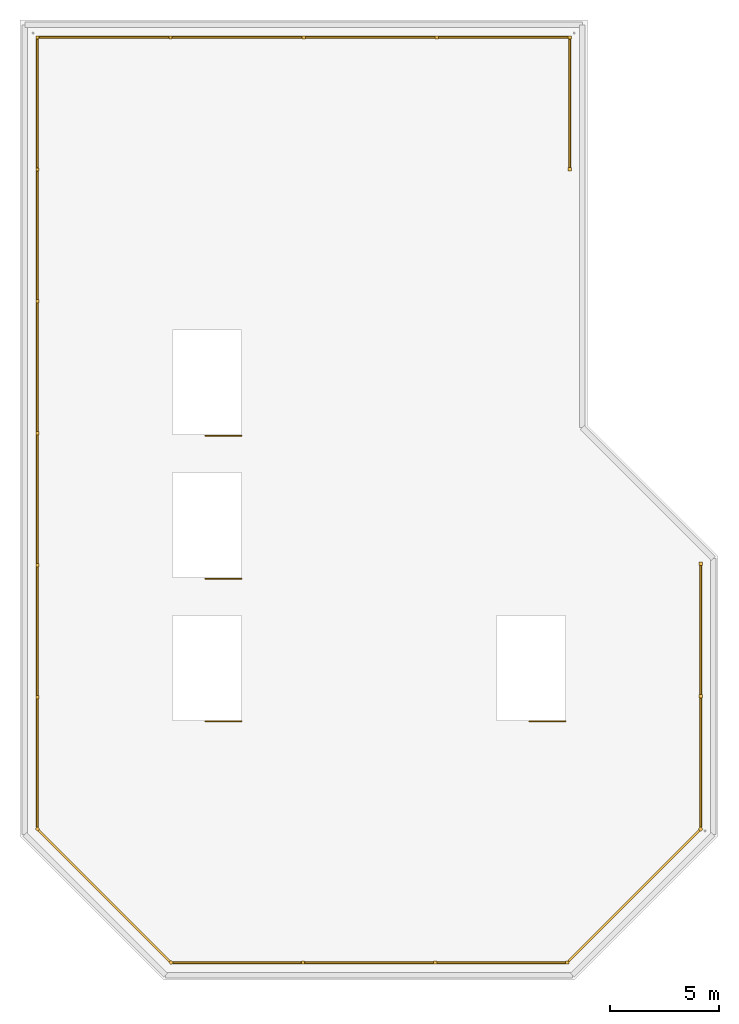
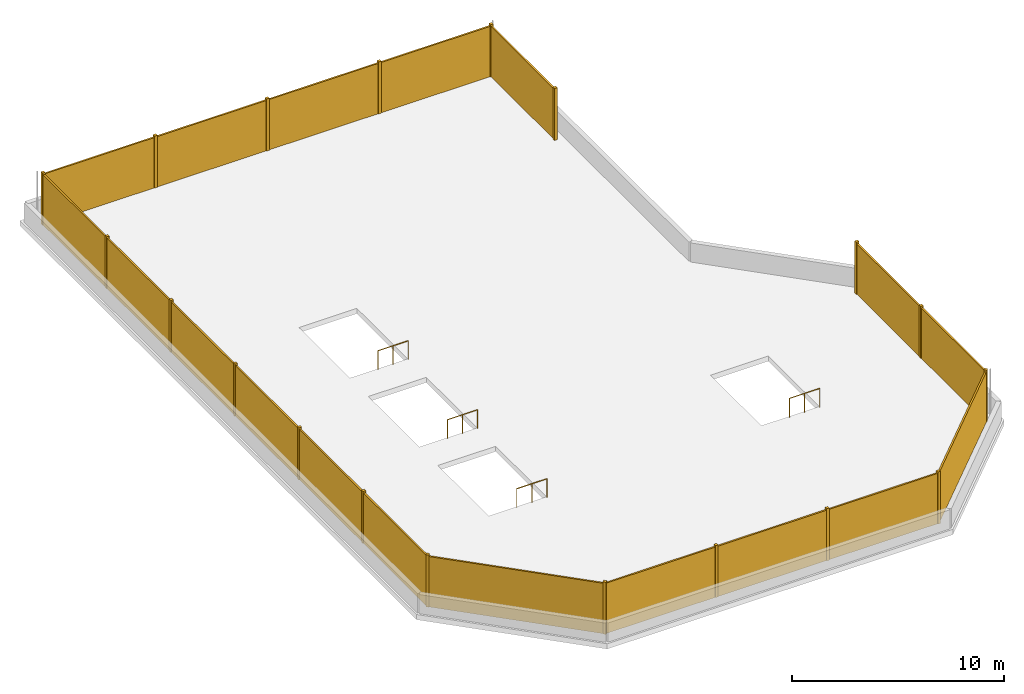
# One storey, part 5 of 5: 37 coverings, 4 railings.
"""IFC4 building model written with IfcOpenShell, lengths in metres."""

from ifc_helpers import new_model, si_unit, direction, frame, origin, origin_2d, place, context, subcontext, project, spatial, rectangle, circle, extrude, material, layer, layer_set, type_object, element, save


model = new_model("IFC4")

# Units and contexts
model_context = context("Model", 3, precision=1e-05, world=origin(), true_north=direction((0.0, 1.0)))
body_context = subcontext(model_context, "Body", "Model", "MODEL_VIEW")
ifc_project = project(units=[si_unit("LENGTHUNIT", "METRE"), si_unit("AREAUNIT", "SQUARE_METRE"), si_unit("VOLUMEUNIT", "CUBIC_METRE"), si_unit("PLANEANGLEUNIT", "RADIAN"), si_unit("MASSUNIT", "GRAM", prefix="KILO")], contexts=[model_context])

# Site, building, storey
site_placement = place(None, origin())
site = spatial("IfcSite", under=ifc_project, at=site_placement, CompositionType="ELEMENT")
building_placement = place(site_placement, origin())
building = spatial("IfcBuilding", under=site, at=building_placement, Name="Welwitschia Terrace Campus", CompositionType="ELEMENT")
storey_placement = place(building_placement, frame((0.0, 0.0, 344.0)))
storey = spatial("IfcBuildingStorey", under=building, at=storey_placement, Name="MAIN ROOF", CompositionType="ELEMENT", Elevation=344.0)

# Coverings
ifc_material_1 = material(Name="Bronze mesh aluminium screen", Category="aluminium")
ifc_layer = layer(ifc_material_1, 0.090087890625)
ifc_layer_set = layer_set([ifc_layer], Name="Bronze mesh aluminium screen")
covering_type_1 = type_object("IfcCoveringType", Name="Bronze screen 90 plant", PredefinedType="USERDEFINED", material=ifc_layer_set)
covering_1_placement = place(storey_placement, frame((2.858642578125, -1.141357421875, 0.0), z_axis=(0.0, 0.0, 1.0), x_axis=(0.707106781187, -0.707106781187, 0.0)))
element("IfcCovering", 1, at=covering_1_placement, inside=storey, type_object=covering_type_1, Name="Plant screen", ObjectType="SCREEN", PredefinedType="USERDEFINED", context=body_context, shape_type="SweptSolid", body=[
    extrude(rectangle(XDim=8.5009765625, YDim=0.090087890625, at=origin_2d()), origin(), (0.0, 0.0, 1.0), 2.89990234375),
])
for number, where, z_axis, x_axis, name in (
    (2, (8.94482421875, -4.199951171875, 0.0), (0.0, 0.0, 1.0), (1.0, 0.0, 0.0), "Plant screen"),
    (3, (15.0, -4.199951171875, 0.0), (0.0, 0.0, 1.0), (1.0, 0.0, 0.0), "Plant screen"),
    (4, (21.05517578125, -4.199951171875, 0.0), (0.0, 0.0, 1.0), (1.0, 0.0, 0.0), "Plant screen"),
):
    element("IfcCovering", number, at=place(storey_placement, frame(where, z_axis=z_axis, x_axis=x_axis)), inside=storey, type_object=covering_type_1, Name=name, ObjectType="SCREEN", PredefinedType="USERDEFINED", context=body_context, shape_type="SweptSolid", body=[
        extrude(rectangle(XDim=5.9052734375, YDim=0.090087890625, at=origin_2d()), origin(), (0.0, 0.0, 1.0), 2.89990234375),
    ])
covering_2_placement = place(storey_placement, frame((27.141357421875, -1.141357421875, 0.0), z_axis=(0.0, 0.0, 1.0), x_axis=(0.707106781187, 0.707106781187, 0.0)))
element("IfcCovering", 5, at=covering_2_placement, inside=storey, type_object=covering_type_1, Name="Plant screen", ObjectType="SCREEN", PredefinedType="USERDEFINED", context=body_context, shape_type="SweptSolid", body=[
    extrude(rectangle(XDim=8.5009765625, YDim=0.090087890625, at=origin_2d()), origin(), (0.0, 0.0, 1.0), 2.89990234375),
])
for number, where, z_axis, x_axis, name in (
    (6, (30.199951171875, 4.95849609375, 0.0), (0.0, 0.0, 1.0), (0.0, 1.0, 0.0), "Plant screen"),
    (7, (30.199951171875, 11.04150390625, 0.0), (0.0, 0.0, 1.0), (0.0, 1.0, 0.0), "Plant screen"),
):
    element("IfcCovering", number, at=place(storey_placement, frame(where, z_axis=z_axis, x_axis=x_axis)), inside=storey, type_object=covering_type_1, Name=name, ObjectType="SCREEN", PredefinedType="USERDEFINED", context=body_context, shape_type="SweptSolid", body=[
        extrude(rectangle(XDim=5.932861328125, YDim=0.090087890625, at=origin_2d()), origin(), (0.0, 0.0, 1.0), 2.89990234375),
    ])
covering_3_placement = place(storey_placement, frame((24.199951171875, 35.180419921875, 0.0), z_axis=(0.0, 0.0, 1.0), x_axis=(0.0, 1.0, 0.0)))
element("IfcCovering", 8, at=covering_3_placement, inside=storey, type_object=covering_type_1, Name="Plant screen", ObjectType="SCREEN", PredefinedType="USERDEFINED", context=body_context, shape_type="SweptSolid", body=[
    extrude(rectangle(XDim=5.88916015625, YDim=0.090087890625, at=origin_2d()), origin(), (0.0, 0.0, 1.0), 2.89990234375),
])
for number, where, z_axis, x_axis, name in (
    (9, (21.14990234375, 38.199951171875, 0.0), (0.0, 0.0, 1.0), (-1.0, 0.0, 0.0), "Plant screen"),
    (10, (15.050048828125, 38.199951171875, 0.0), (0.0, 0.0, 1.0), (-1.0, 0.0, 0.0), "Plant screen"),
    (11, (8.949951171875, 38.199951171875, 0.0), (0.0, 0.0, 1.0), (-1.0, 0.0, 0.0), "Plant screen"),
    (12, (2.85009765625, 38.199951171875, 0.0), (0.0, 0.0, 1.0), (-1.0, 0.0, 0.0), "Plant screen"),
):
    element("IfcCovering", number, at=place(storey_placement, frame(where, z_axis=z_axis, x_axis=x_axis)), inside=storey, type_object=covering_type_1, Name=name, ObjectType="SCREEN", PredefinedType="USERDEFINED", context=body_context, shape_type="SweptSolid", body=[
        extrude(rectangle(XDim=5.949951171875, YDim=0.090087890625, at=origin_2d()), origin(), (0.0, 0.0, 1.0), 2.89990234375),
    ])
for number, where, z_axis, x_axis, name in (
    (13, (-0.199951171875, 35.176513671875, 0.0), (0.0, 0.0, 1.0), (0.0, -1.0, 0.0), "Plant screen"),
    (14, (-0.199951171875, 29.12939453125, 0.0), (0.0, 0.0, 1.0), (0.0, -1.0, 0.0), "Plant screen"),
    (15, (-0.199951171875, 23.08203125, 0.0), (0.0, 0.0, 1.0), (0.0, -1.0, 0.0), "Plant screen"),
    (16, (-0.199951171875, 17.034912109375, 0.0), (0.0, 0.0, 1.0), (0.0, -1.0, 0.0), "Plant screen"),
    (17, (-0.199951171875, 10.98779296875, 0.0), (0.0, 0.0, 1.0), (0.0, -1.0, 0.0), "Plant screen"),
    (18, (-0.199951171875, 4.940673828125, 0.0), (0.0, 0.0, 1.0), (0.0, -1.0, 0.0), "Plant screen"),
):
    element("IfcCovering", number, at=place(storey_placement, frame(where, z_axis=z_axis, x_axis=x_axis)), inside=storey, type_object=covering_type_1, Name=name, ObjectType="SCREEN", PredefinedType="USERDEFINED", context=body_context, shape_type="SweptSolid", body=[
        extrude(rectangle(XDim=5.897216796875, YDim=0.090087890625, at=origin_2d()), origin(), (0.0, 0.0, 1.0), 2.89990234375),
    ])
ifc_material_2 = material(Name="Bronze anodised aluminium", Category="aluminium")
covering_type_2 = type_object("IfcCoveringType", Name="Screen post 150", PredefinedType="USERDEFINED", material=ifc_material_2)
for number, where, z_axis, x_axis, name in (
    (19, (-0.199951171875, 1.917236328125, 0.0), (0.0, 0.0, 1.0), (0.707106781187, -0.707106781187, 0.0), "Screen post"),
    (20, (5.917236328125, -4.199951171875, 0.0), (0.0, 0.0, 1.0), (0.707106781187, -0.707106781187, 0.0), "Screen post"),
    (21, (11.972412109375, -4.199951171875, 0.0), (0.0, 0.0, 1.0), (1.0, 0.0, 0.0), "Screen post"),
    (22, (18.027587890625, -4.199951171875, 0.0), (0.0, 0.0, 1.0), (1.0, 0.0, 0.0), "Screen post"),
    (23, (24.082763671875, -4.199951171875, 0.0), (0.0, 0.0, 1.0), (1.0, 0.0, 0.0), "Screen post"),
    (24, (30.199951171875, 1.917236328125, 0.0), (0.0, 0.0, 1.0), (0.707106781187, 0.707106781187, 0.0), "Screen post"),
    (25, (30.199951171875, 8.0, 0.0), (0.0, 0.0, 1.0), (0.0, 1.0, 0.0), "Screen post"),
    (26, (30.199951171875, 14.082763671875, 0.0), (0.0, 0.0, 1.0), (0.0, 1.0, 0.0), "Screen post"),
    (27, (24.199951171875, 32.160888671875, 0.0), (0.0, 0.0, 1.0), (0.0, 1.0, 0.0), "Screen post"),
    (28, (24.199951171875, 38.199951171875, 0.0), (0.0, 0.0, 1.0), (0.0, 1.0, 0.0), "Screen post"),
    (29, (18.10009765625, 38.199951171875, 0.0), (0.0, 0.0, 1.0), (-1.0, 0.0, 0.0), "Screen post"),
    (30, (12.0, 38.199951171875, 0.0), (0.0, 0.0, 1.0), (-1.0, 0.0, 0.0), "Screen post"),
    (31, (5.89990234375, 38.199951171875, 0.0), (0.0, 0.0, 1.0), (-1.0, 0.0, 0.0), "Screen post"),
    (32, (-0.199951171875, 38.199951171875, 0.0), (0.0, 0.0, 1.0), (-1.0, 0.0, 0.0), "Screen post"),
    (33, (-0.199951171875, 32.15283203125, 0.0), (0.0, 0.0, 1.0), (0.0, -1.0, 0.0), "Screen post"),
    (34, (-0.199951171875, 26.105712890625, 0.0), (0.0, 0.0, 1.0), (0.0, -1.0, 0.0), "Screen post"),
    (35, (-0.199951171875, 20.05859375, 0.0), (0.0, 0.0, 1.0), (0.0, -1.0, 0.0), "Screen post"),
    (36, (-0.199951171875, 14.011474609375, 0.0), (0.0, 0.0, 1.0), (0.0, -1.0, 0.0), "Screen post"),
    (37, (-0.199951171875, 7.96435546875, 0.0), (0.0, 0.0, 1.0), (0.0, -1.0, 0.0), "Screen post"),
):
    element("IfcCovering", number, at=place(storey_placement, frame(where, z_axis=z_axis, x_axis=x_axis)), inside=storey, type_object=covering_type_2, Name=name, ObjectType="SCREEN", PredefinedType="USERDEFINED", context=body_context, shape_type="SweptSolid", body=[
        extrude(rectangle(XDim=0.14990234375, YDim=0.14990234375, at=origin_2d()), origin(), (0.0, 0.0, 1.0), 3.0),
    ])

# Railings
ifc_material_3 = material(Name="Steel S355", Category="steel")
railing_type = type_object("IfcRailingType", Name="Stair guard 1100", PredefinedType="GUARDRAIL", material=ifc_material_3)
for number, where, name in (
    (38, (9.14990234375, 6.85009765625, 0.0), "MAIN ROOF S1 top well guard 1"),
    (39, (9.14990234375, 13.39990234375, 0.0), "MAIN ROOF S3 top well guard 1"),
    (40, (9.14990234375, 19.949951171875, 0.0), "MAIN ROOF S4 top well guard 1"),
    (41, (24.0, 6.85009765625, 0.0), "MAIN ROOF S2 top well guard 1"),
):
    element("IfcRailing", number, at=place(storey_placement, frame(where)), inside=storey, type_object=railing_type, Name=name, PredefinedType="GUARDRAIL", context=body_context, shape_type="SweptSolid", body=[
        extrude(circle(Radius=0.02392578125, at=origin_2d()), frame((0.0, 0.0, 1.076171875), z_axis=(-1.0, 0.0, 0.0), x_axis=(0.0, -1.0, 0.0)), (0.0, 0.0, 1.0), 1.64990234375),
        extrude(circle(Radius=0.02099609375, at=origin_2d()), origin(), (0.0, 0.0, 1.0), 1.052001953125),
        extrude(circle(Radius=0.02099609375, at=origin_2d()), frame((-0.824951171875, 0.0, 0.0)), (0.0, 0.0, 1.0), 1.052001953125),
        extrude(circle(Radius=0.02099609375, at=origin_2d()), frame((-1.64990234375, 0.0, 0.0)), (0.0, 0.0, 1.0), 1.052001953125),
    ])

save(model, "model.ifc")
